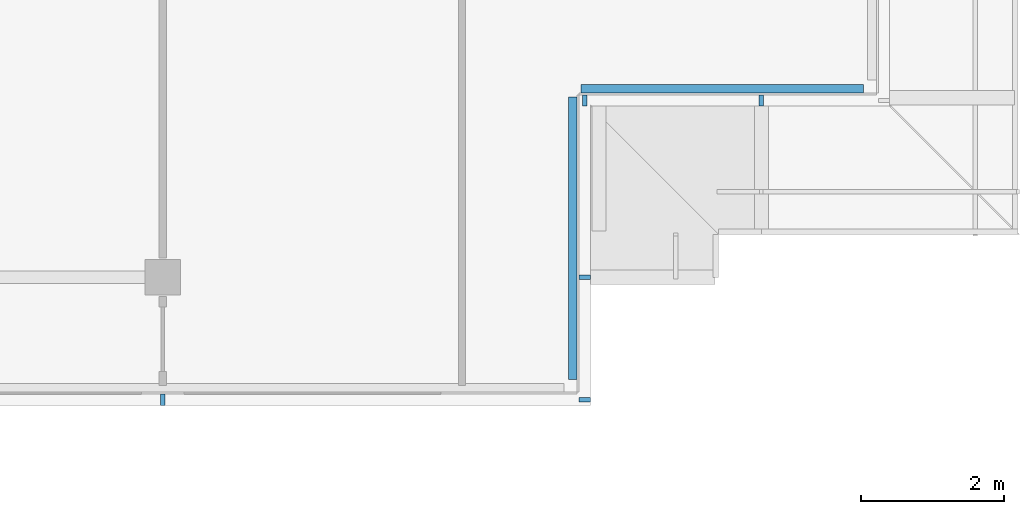
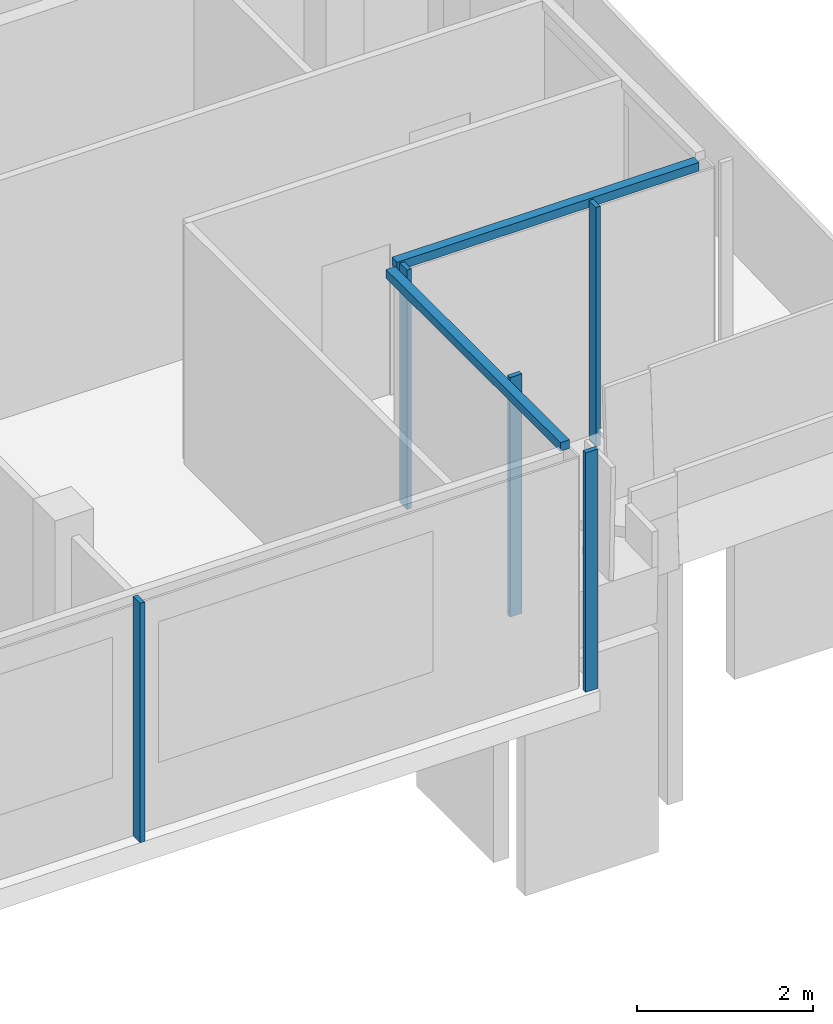
# One storey, part 6 of 27: 7 members, 3 elements without a shape of their own.
"""IFC4 building model written with IfcOpenShell, lengths in metres."""

import ifcopenshell
import ifcopenshell.guid

model = None  # the IFC model being written
_history = None  # IfcOwnerHistory: only IFC2X3 demands one
_inside = {}  # id of a spatial element -> (the spatial element, [elements in it])
_under = {}  # id of a project, library or spatial element -> (it, [spatial elements below it])
_declared = {}  # id of a project -> (the project, [libraries it declares])
_typed = {}  # id of a type object -> (the type object, [elements of that type])
_made_of = {}  # id of a material, layer set ... -> (it, [elements and type objects made of it])


def new_model(schema):
    """Start an empty IFC model of exactly this schema.

    Asked for "IFC4X3", IfcOpenShell would pick the latest addendum, in which some entities
    have other attributes; the version numbers below select the first issue.
    IFC2X3 requires an IfcOwnerHistory on every rooted entity: one is made here for all.
    """
    global model, _history
    if schema == "IFC4X3":
        model = ifcopenshell.file(schema_version=(4, 3, 0, 0))
    else:
        model = ifcopenshell.file(schema=schema)
    _inside.clear()
    _under.clear()
    _declared.clear()
    _typed.clear()
    _made_of.clear()
    _history = None
    if model.schema == "IFC2X3":
        org = make("IfcOrganization", Name="unknown")
        user = make(
            "IfcPersonAndOrganization",
            ThePerson=make("IfcPerson", FamilyName="unknown"),
            TheOrganization=org,
        )
        app = make(
            "IfcApplication",
            ApplicationDeveloper=org,
            Version="unknown",
            ApplicationFullName="unknown",
            ApplicationIdentifier="unknown",
        )
        _history = make(
            "IfcOwnerHistory",
            OwningUser=user,
            OwningApplication=app,
            ChangeAction="ADDED",
            CreationDate=0,
        )
    return model


def make(cls, **values):
    """One entity of the class cls with the attributes given. An attribute that is None is left unset."""
    return model.create_entity(
        cls, **{name: value for name, value in values.items() if value is not None}
    )


def rooted(cls, **values):
    """An entity with a GlobalId (a new one), such as an element, a storey or a relation."""
    return make(cls, GlobalId=ifcopenshell.guid.new(), OwnerHistory=_history, **values)


def si_unit(unit_type, name, prefix=None):
    """IfcSIUnit, for example si_unit("LENGTHUNIT", "METRE", prefix="MILLI")."""
    return make("IfcSIUnit", UnitType=unit_type, Prefix=prefix, Name=name)


def assignment(units):
    """IfcUnitAssignment: the units of a project."""
    return None if units is None else make("IfcUnitAssignment", Units=units)


def point(xyz):
    """IfcCartesianPoint."""
    return None if xyz is None else make("IfcCartesianPoint", Coordinates=xyz)


def direction(xyz):
    """IfcDirection."""
    return None if xyz is None else make("IfcDirection", DirectionRatios=xyz)


def frame(location, z_axis=None, x_axis=None):
    """IfcAxis2Placement3D, a coordinate frame: its origin and axes. An axis left out is left unset."""
    return make(
        "IfcAxis2Placement3D",
        Location=point(location),
        Axis=direction(z_axis),
        RefDirection=direction(x_axis),
    )


def frame_2d(location, x_axis=None):
    """IfcAxis2Placement2D, a coordinate frame in the plane: its origin and x axis."""
    return make(
        "IfcAxis2Placement2D", Location=point(location), RefDirection=direction(x_axis)
    )


def origin():
    """The frame at (0, 0, 0) with its axes left unset."""
    return frame((0.0, 0.0, 0.0))


def origin_2d():
    """The frame at (0, 0) in the plane with its x axis left unset."""
    return frame_2d((0.0, 0.0))


def place(relative_to, where):
    """IfcLocalPlacement: puts the frame where relative to a parent placement (None: the world)."""
    return make(
        "IfcLocalPlacement", PlacementRelTo=relative_to, RelativePlacement=where
    )


def context(
    kind, dimensions, precision=None, world=None, true_north=None, identifier=None
):
    """IfcGeometricRepresentationContext, for example the 3D "Model" context."""
    return make(
        "IfcGeometricRepresentationContext",
        ContextIdentifier=identifier,
        ContextType=kind,
        CoordinateSpaceDimension=dimensions,
        Precision=precision,
        WorldCoordinateSystem=world,
        TrueNorth=true_north,
    )


def subcontext(parent, identifier, kind, view, scale=None):
    """IfcGeometricRepresentationSubContext, for example "Body" below "Model"."""
    return make(
        "IfcGeometricRepresentationSubContext",
        ContextIdentifier=identifier,
        ContextType=kind,
        ParentContext=parent,
        TargetScale=scale,
        TargetView=view,
    )


def project(units=None, contexts=None):
    """IfcProject with its units and contexts."""
    return rooted(
        "IfcProject",
        Name="project",
        RepresentationContexts=contexts,
        UnitsInContext=assignment(units),
    )


def spatial(cls, under=None, at=None, **own):
    """A site, building, storey or space (cls), placed at a placement, below another one or the project."""
    s = rooted(cls, ObjectPlacement=at, **own)
    if under is not None:
        _under.setdefault(under.id(), (under, []))[1].append(s)
    return s


def profile(cls, at=None, kind="AREA", **sizes):
    """A parametric profile (cls). Its sizes go by their IFC names, for example OverallWidth=200.0."""
    return make(cls, ProfileType=kind, Position=at, **sizes)


def rectangle(**sizes):
    """IfcRectangleProfileDef."""
    return profile("IfcRectangleProfileDef", **sizes)


def extrude(swept, where, along, depth):
    """IfcExtrudedAreaSolid: the profile swept, set in the frame where, extruded along a direction by depth."""
    return make(
        "IfcExtrudedAreaSolid",
        SweptArea=swept,
        Position=where,
        ExtrudedDirection=direction(along),
        Depth=depth,
    )


def shape(context_of_items, identifier, shape_type, items):
    """IfcShapeRepresentation: the items that make up one representation, for example the "Body"."""
    return make(
        "IfcShapeRepresentation",
        ContextOfItems=context_of_items,
        RepresentationIdentifier=identifier,
        RepresentationType=shape_type,
        Items=items,
    )


def material(Name=None, Category=None):
    """IfcMaterial."""
    return make("IfcMaterial", Name=Name, Category=Category)


def material_profile(
    of_material, cross_section, Name=None, Category=None, Priority=None
):
    """IfcMaterialProfile: a cross section and its material."""
    return make(
        "IfcMaterialProfile",
        Name=Name,
        Material=of_material,
        Profile=cross_section,
        Priority=Priority,
        Category=Category,
    )


def profile_set(profiles, Name=None, composite=None):
    """IfcMaterialProfileSet."""
    return make(
        "IfcMaterialProfileSet",
        Name=Name,
        MaterialProfiles=profiles,
        CompositeProfile=composite,
    )


def made_of(thing, what):
    """Note that an element or type object is made of a material, layer set ...; save() writes the relation."""
    if what is not None:
        _made_of.setdefault(what.id(), (what, []))[1].append(thing)
    return thing


def type_object(cls, material=None, **own):
    """A type object (cls), such as IfcWallType, which elements share."""
    return made_of(rooted(cls, **own), material)


def element(
    cls,
    number,
    at=None,
    inside=None,
    cuts=None,
    type_object=None,
    material=None,
    context=None,
    identifier="Body",
    shape_type=None,
    held_by="IfcProductDefinitionShape",
    body=None,
    shapes=None,
    **own,
):
    """One element of the class cls, such as IfcWall. Its Tag is "e" and its number.

    at: its placement. inside: the storey or other place that contains it. cuts: it is an
    opening in that element (IfcRelVoidsElement). A single representation is given by context,
    identifier, shape_type and body (its items); several are given by shapes. held_by: the class
    of the entity that holds the representations. save() writes the other relations.
    """
    e = rooted(cls, Tag="e%d" % number, ObjectPlacement=at, **own)
    if body is not None:
        shapes = [shape(context, identifier, shape_type, body)]
    if shapes is not None:
        e.Representation = make(held_by, Representations=shapes)
    if inside is not None:
        _inside.setdefault(inside.id(), (inside, []))[1].append(e)
    if cuts is not None:
        rooted(
            "IfcRelVoidsElement", RelatingBuildingElement=cuts, RelatedOpeningElement=e
        )
    if type_object is not None:
        _typed.setdefault(type_object.id(), (type_object, []))[1].append(e)
    return made_of(e, material)


def aggregate(whole, parts):
    """IfcRelAggregates: a whole, such as a stair, and the parts it consists of."""
    return rooted("IfcRelAggregates", RelatingObject=whole, RelatedObjects=parts)


def save(model, path):
    """Write the relations noted so far, then the file.

    IfcRelAggregates (storeys below a building ...), IfcRelContainedInSpatialStructure (elements
    in a storey), IfcRelDefinesByType, IfcRelAssociatesMaterial and IfcRelDeclares: one each for
    every whole, place, type object, material and project.
    """
    for whole, parts in _under.values():
        aggregate(whole, parts)
    for where, things in _inside.values():
        rooted(
            "IfcRelContainedInSpatialStructure",
            RelatedElements=things,
            RelatingStructure=where,
        )
    for kind, things in _typed.values():
        rooted("IfcRelDefinesByType", RelatedObjects=things, RelatingType=kind)
    for what, things in _made_of.values():
        rooted("IfcRelAssociatesMaterial", RelatedObjects=things, RelatingMaterial=what)
    for by, libraries in _declared.values():
        rooted("IfcRelDeclares", RelatingContext=by, RelatedDefinitions=libraries)
    model.write(path)


model = new_model("IFC4")

# Units and contexts
model_context = context("Model", 3, precision=1e-05, world=origin(), true_north=direction((0.0, 1.0)))
body_context = subcontext(model_context, "Body", "Model", "MODEL_VIEW")
ifc_project = project(units=[si_unit("LENGTHUNIT", "METRE"), si_unit("AREAUNIT", "SQUARE_METRE"), si_unit("VOLUMEUNIT", "CUBIC_METRE"), si_unit("PLANEANGLEUNIT", "RADIAN"), si_unit("MASSUNIT", "GRAM", prefix="KILO")], contexts=[model_context])

# Site, building, storey
site_placement = place(None, origin())
site = spatial("IfcSite", under=ifc_project, at=site_placement, CompositionType="ELEMENT")
building_placement = place(site_placement, origin())
building = spatial("IfcBuilding", under=site, at=building_placement, Name="Saffron Gate Tower", CompositionType="ELEMENT")
storey_placement = place(building_placement, frame((0.0, 0.0, 274.35009765625)))
storey = spatial("IfcBuildingStorey", under=building, at=storey_placement, Name="L66", CompositionType="ELEMENT", Elevation=274.35009765625)

# Curtain wall, member
ifc_material = material(Name="Aluminium, bronze anodised", Category="aluminium")
curtain_wall_type_1 = type_object("IfcCurtainWallType", Name="CWS1 curtain wall front facade", PredefinedType="NOTDEFINED", material=ifc_material)
curtain_wall_1_placement = place(storey_placement, origin())
curtain_wall_1 = element("IfcCurtainWall", 1, at=curtain_wall_1_placement, inside=storey, type_object=curtain_wall_type_1, Name="CWS1 run 1", PredefinedType="NOTDEFINED")
ifc_material_profile_1 = material_profile(ifc_material, rectangle(XDim=0.159912109375, YDim=0.06005859375, at=origin_2d()))
ifc_profile_set_1 = profile_set([ifc_material_profile_1], Name="Aluminium, bronze anodised")
member_type_1 = type_object("IfcMemberType", Name="CWS1 mullion 60x160", PredefinedType="MULLION", material=ifc_profile_set_1)
member_1_placement = place(storey_placement, frame((108.60009765625, 30.080078125, 0.0), z_axis=(0.0, 0.0, 1.0), x_axis=(0.0, 1.0, 0.0)))
member_1 = element("IfcMember", 2, at=member_1_placement, type_object=member_type_1, Name="CWS1 mullion 7", PredefinedType="MULLION", context=body_context, shape_type="SweptSolid", body=[
    extrude(rectangle(XDim=0.159912109375, YDim=0.06005859375, at=origin_2d()), origin(), (0.0, 0.0, 1.0), 3.31982421875),
])
aggregate(curtain_wall_1, [member_1])

curtain_wall_type_2 = type_object("IfcCurtainWallType", Name="CWS4 curtain wall corner returns", PredefinedType="NOTDEFINED", material=ifc_material)
curtain_wall_2_placement = place(storey_placement, origin())
curtain_wall_2 = element("IfcCurtainWall", 3, at=curtain_wall_2_placement, inside=storey, type_object=curtain_wall_type_2, Name="CWS4 run 2", PredefinedType="NOTDEFINED")
ifc_material_profile_2 = material_profile(ifc_material, rectangle(XDim=0.1201171875, YDim=0.1201171875, at=origin_2d()))
ifc_profile_set_2 = profile_set([ifc_material_profile_2], Name="Aluminium, bronze anodised")
member_type_2 = type_object("IfcMemberType", Name="CWS4 head transom", PredefinedType="USERDEFINED", material=ifc_profile_set_2)
member_2_placement = place(storey_placement, frame((114.35205078125, 30.367919921875, 3.260009765625), z_axis=(0.0, 1.0, 0.0), x_axis=(-1.0, 0.0, 0.0)))
member_2 = element("IfcMember", 4, at=member_2_placement, type_object=member_type_2, Name="CWS4 head transom", ObjectType="TRANSOM", PredefinedType="USERDEFINED", context=body_context, shape_type="SweptSolid", body=[
    extrude(rectangle(XDim=0.1201171875, YDim=0.1201171875, at=origin_2d()), origin(), (0.0, 0.0, 1.0), 3.9599609375),
])

curtain_wall_3_placement = place(storey_placement, origin())
curtain_wall_3 = element("IfcCurtainWall", 5, at=curtain_wall_3_placement, inside=storey, type_object=curtain_wall_type_2, Name="CWS4 run 3", PredefinedType="NOTDEFINED")
member_3_placement = place(storey_placement, frame((114.471923828125, 34.447998046875, 3.260009765625), z_axis=(1.0, 0.0, 0.0), x_axis=(0.0, 1.0, 0.0)))
member_3 = element("IfcMember", 6, at=member_3_placement, type_object=member_type_2, Name="CWS4 head transom", ObjectType="TRANSOM", PredefinedType="USERDEFINED", context=body_context, shape_type="SweptSolid", body=[
    extrude(rectangle(XDim=0.1201171875, YDim=0.1201171875, at=origin_2d()), origin(), (0.0, 0.0, 1.0), 3.9599609375),
])

# Member
ifc_material_profile_3 = material_profile(ifc_material, rectangle(XDim=0.159912109375, YDim=0.06005859375, at=origin_2d()))
ifc_profile_set_3 = profile_set([ifc_material_profile_3], Name="Aluminium, bronze anodised")
member_type_3 = type_object("IfcMemberType", Name="CWS4 mullion 60x160", PredefinedType="MULLION", material=ifc_profile_set_3)
member_4_placement = place(storey_placement, frame((114.52001953125, 30.080078125, 0.0), z_axis=(0.0, 0.0, 1.0), x_axis=(-1.0, 0.0, 0.0)))
member_4 = element("IfcMember", 7, at=member_4_placement, type_object=member_type_3, Name="CWS4 mullion 1", PredefinedType="MULLION", context=body_context, shape_type="SweptSolid", body=[
    extrude(rectangle(XDim=0.159912109375, YDim=0.06005859375, at=origin_2d()), origin(), (0.0, 0.0, 1.0), 3.31982421875),
])

member_5_placement = place(storey_placement, frame((114.52001953125, 31.800048828125, 0.0), z_axis=(0.0, 0.0, 1.0), x_axis=(-1.0, 0.0, 0.0)))
member_5 = element("IfcMember", 8, at=member_5_placement, type_object=member_type_3, Name="CWS4 mullion 2", PredefinedType="MULLION", context=body_context, shape_type="SweptSolid", body=[
    extrude(rectangle(XDim=0.159912109375, YDim=0.06005859375, at=origin_2d()), origin(), (0.0, 0.0, 1.0), 3.31982421875),
])

aggregate(curtain_wall_2, [member_4, member_5, member_2])

member_6_placement = place(storey_placement, frame((114.52001953125, 34.280029296875, 0.0), z_axis=(0.0, 0.0, 1.0), x_axis=(0.0, 1.0, 0.0)))
member_6 = element("IfcMember", 9, at=member_6_placement, type_object=member_type_3, Name="CWS4 mullion 1", PredefinedType="MULLION", context=body_context, shape_type="SweptSolid", body=[
    extrude(rectangle(XDim=0.159912109375, YDim=0.06005859375, at=origin_2d()), origin(), (0.0, 0.0, 1.0), 3.31982421875),
])

member_7_placement = place(storey_placement, frame((117.0, 34.280029296875, 0.0), z_axis=(0.0, 0.0, 1.0), x_axis=(0.0, 1.0, 0.0)))
member_7 = element("IfcMember", 10, at=member_7_placement, type_object=member_type_3, Name="CWS4 mullion 2", PredefinedType="MULLION", context=body_context, shape_type="SweptSolid", body=[
    extrude(rectangle(XDim=0.159912109375, YDim=0.06005859375, at=origin_2d()), origin(), (0.0, 0.0, 1.0), 3.31982421875),
])

aggregate(curtain_wall_3, [member_6, member_7, member_3])

save(model, "model.ifc")
